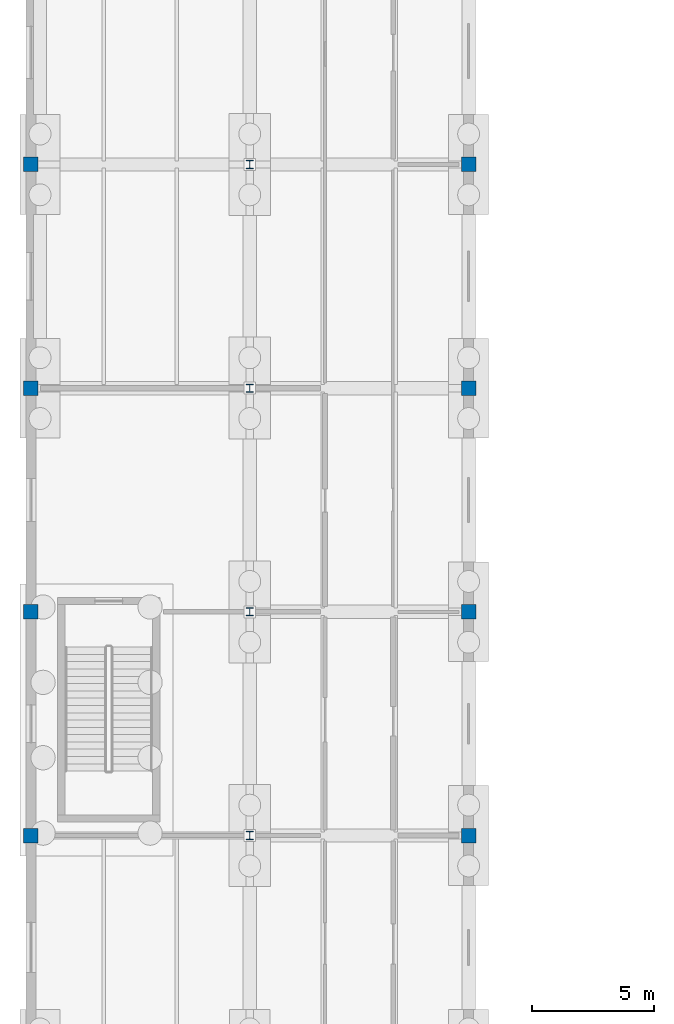
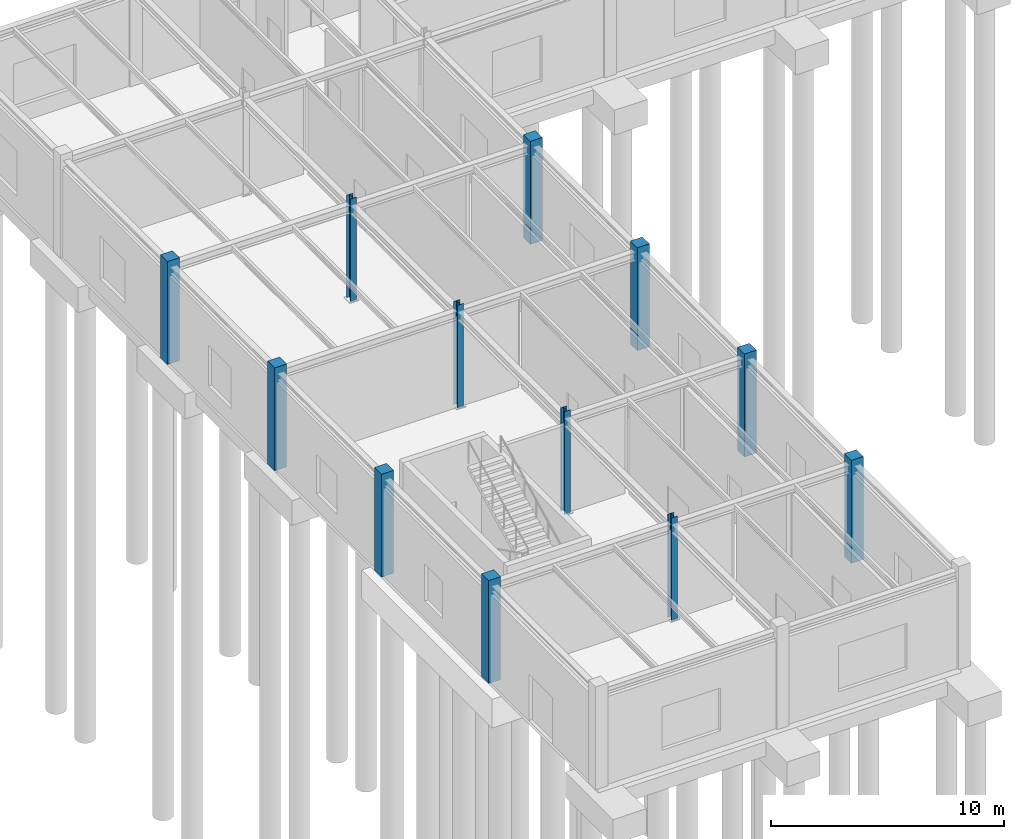
# One storey, part 14 of 76: 12 columns.
"""IFC4 building model written with IfcOpenShell, lengths in metres."""

from ifc_helpers import new_model, si_unit, direction, frame, origin, origin_2d, place, context, subcontext, project, spatial, rectangle, i_section, extrude, material, material_profile, profile_set, type_object, element, save


model = new_model("IFC4")

# Units and contexts
model_context = context("Model", 3, precision=1e-05, world=origin(), true_north=direction((0.0, 1.0)))
body_context = subcontext(model_context, "Body", "Model", "MODEL_VIEW")
ifc_project = project(units=[si_unit("LENGTHUNIT", "METRE"), si_unit("AREAUNIT", "SQUARE_METRE"), si_unit("VOLUMEUNIT", "CUBIC_METRE"), si_unit("PLANEANGLEUNIT", "RADIAN"), si_unit("MASSUNIT", "GRAM", prefix="KILO")], contexts=[model_context])

# Site, building, storey
site_placement = place(None, origin())
site = spatial("IfcSite", under=ifc_project, at=site_placement, CompositionType="ELEMENT")
building_placement = place(site_placement, origin())
building = spatial("IfcBuilding", under=site, at=building_placement, Name="Bozkorgan Art Gallery", CompositionType="ELEMENT")
storey_placement = place(building_placement, origin())
storey = spatial("IfcBuildingStorey", under=building, at=storey_placement, Name="L00", CompositionType="ELEMENT", Elevation=0.0)

# Columns
ifc_material_1 = material(Name="Concrete C40/50", Category="concrete")
ifc_material_profile_1 = material_profile(ifc_material_1, rectangle(XDim=0.60009765625, YDim=0.60009765625, at=origin_2d()), Name="RC 600x600")
ifc_profile_set_1 = profile_set([ifc_material_profile_1], Name="Concrete C40/50")
column_type_1 = type_object("IfcColumnType", Name="COLUMN-C-24", PredefinedType="COLUMN", material=ifc_profile_set_1)
for number, where, z_axis, x_axis, name in (
    (1, (2.0, 66.0, 0.0), (0.0, 0.0, 1.0), (1.0, 0.0, 0.0), "V2 L00 column (2.0, 66.0)"),
    (2, (2.0, 75.199951171875, 0.0), (0.0, 0.0, 1.0), (1.0, 0.0, 0.0), "V2 L00 column (2.0, 75.2)"),
    (3, (2.0, 84.39990234375, 0.0), (0.0, 0.0, 1.0), (1.0, 0.0, 0.0), "V2 L00 column (2.0, 84.4)"),
    (4, (2.0, 93.60009765625, 0.0), (0.0, 0.0, 1.0), (1.0, 0.0, 0.0), "V2 L00 column (2.0, 93.6)"),
    (5, (20.0, 66.0, 0.0), (0.0, 0.0, 1.0), (1.0, 0.0, 0.0), "V2 L00 column (20.0, 66.0)"),
    (6, (20.0, 75.199951171875, 0.0), (0.0, 0.0, 1.0), (1.0, 0.0, 0.0), "V2 L00 column (20.0, 75.2)"),
    (7, (20.0, 84.39990234375, 0.0), (0.0, 0.0, 1.0), (1.0, 0.0, 0.0), "V2 L00 column (20.0, 84.4)"),
    (8, (20.0, 93.60009765625, 0.0), (0.0, 0.0, 1.0), (1.0, 0.0, 0.0), "V2 L00 column (20.0, 93.6)"),
):
    element("IfcColumn", number, at=place(storey_placement, frame(where, z_axis=z_axis, x_axis=x_axis)), inside=storey, type_object=column_type_1, Name=name, PredefinedType="COLUMN", context=body_context, shape_type="SweptSolid", body=[
        extrude(rectangle(XDim=0.60009765625, YDim=0.60009765625, at=origin_2d()), origin(), (0.0, 0.0, 1.0), 5.39990234375),
    ])
ifc_material_2 = material(Name="Steel S355J2", Category="steel")
ifc_material_profile_2 = material_profile(ifc_material_2, i_section(OverallWidth=0.300048828125, OverallDepth=0.340087890625, WebThickness=0.011962890625, FlangeThickness=0.021484375, FilletRadius=0.027099609375, at=origin_2d()), Name="HEB 340")
ifc_profile_set_2 = profile_set([ifc_material_profile_2], Name="Steel S355J2")
column_type_2 = type_object("IfcColumnType", Name="COLUMN-C-81", PredefinedType="COLUMN", material=ifc_profile_set_2)
for number, where, z_axis, x_axis, name in (
    (9, (11.0, 66.0, 0.0), (0.0, 0.0, 1.0), (1.0, 0.0, 0.0), "V2 L00 column (11.0, 66.0)"),
    (10, (11.0, 75.199951171875, 0.0), (0.0, 0.0, 1.0), (1.0, 0.0, 0.0), "V2 L00 column (11.0, 75.2)"),
    (11, (11.0, 84.39990234375, 0.0), (0.0, 0.0, 1.0), (1.0, 0.0, 0.0), "V2 L00 column (11.0, 84.4)"),
    (12, (11.0, 93.60009765625, 0.0), (0.0, 0.0, 1.0), (1.0, 0.0, 0.0), "V2 L00 column (11.0, 93.6)"),
):
    element("IfcColumn", number, at=place(storey_placement, frame(where, z_axis=z_axis, x_axis=x_axis)), inside=storey, type_object=column_type_2, Name=name, PredefinedType="COLUMN", context=body_context, shape_type="SweptSolid", body=[
        extrude(i_section(OverallWidth=0.300048828125, OverallDepth=0.340087890625, WebThickness=0.011962890625, FlangeThickness=0.021484375, FilletRadius=0.027099609375, at=origin_2d()), origin(), (0.0, 0.0, 1.0), 5.39990234375),
    ])

save(model, "model.ifc")
